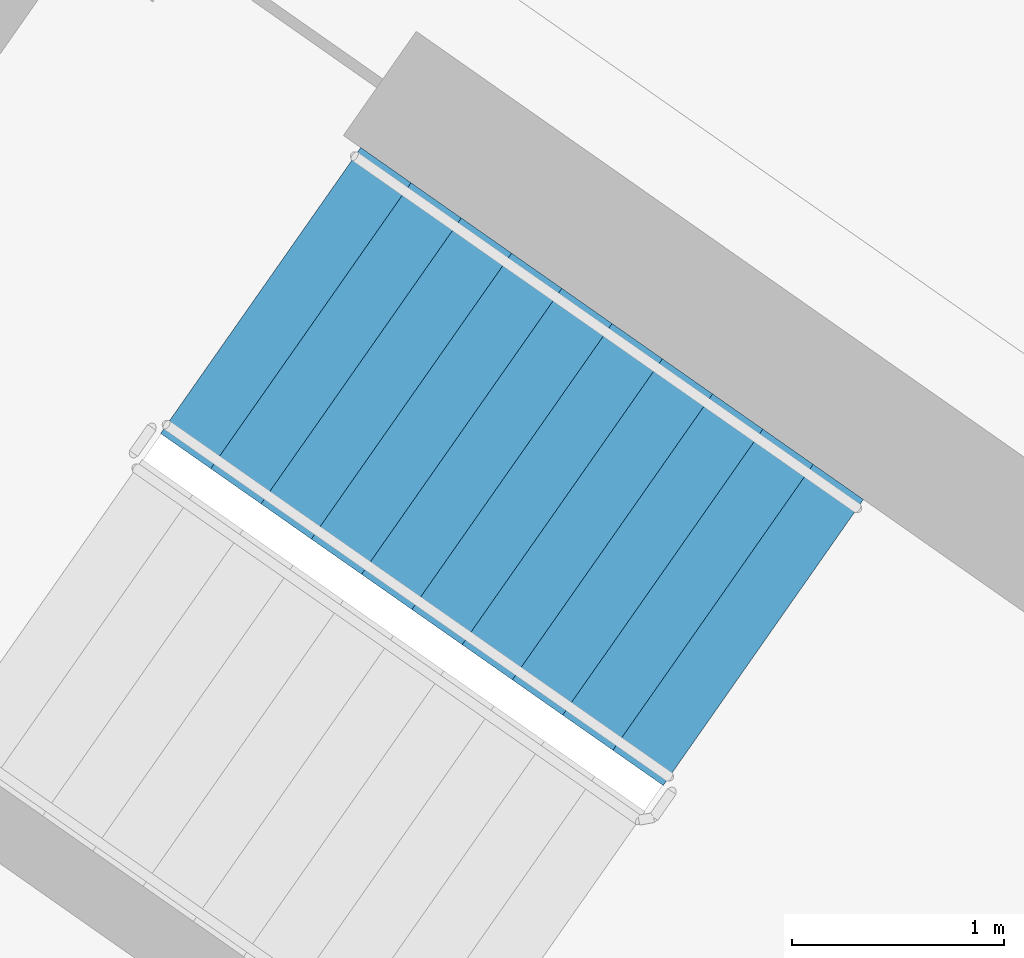
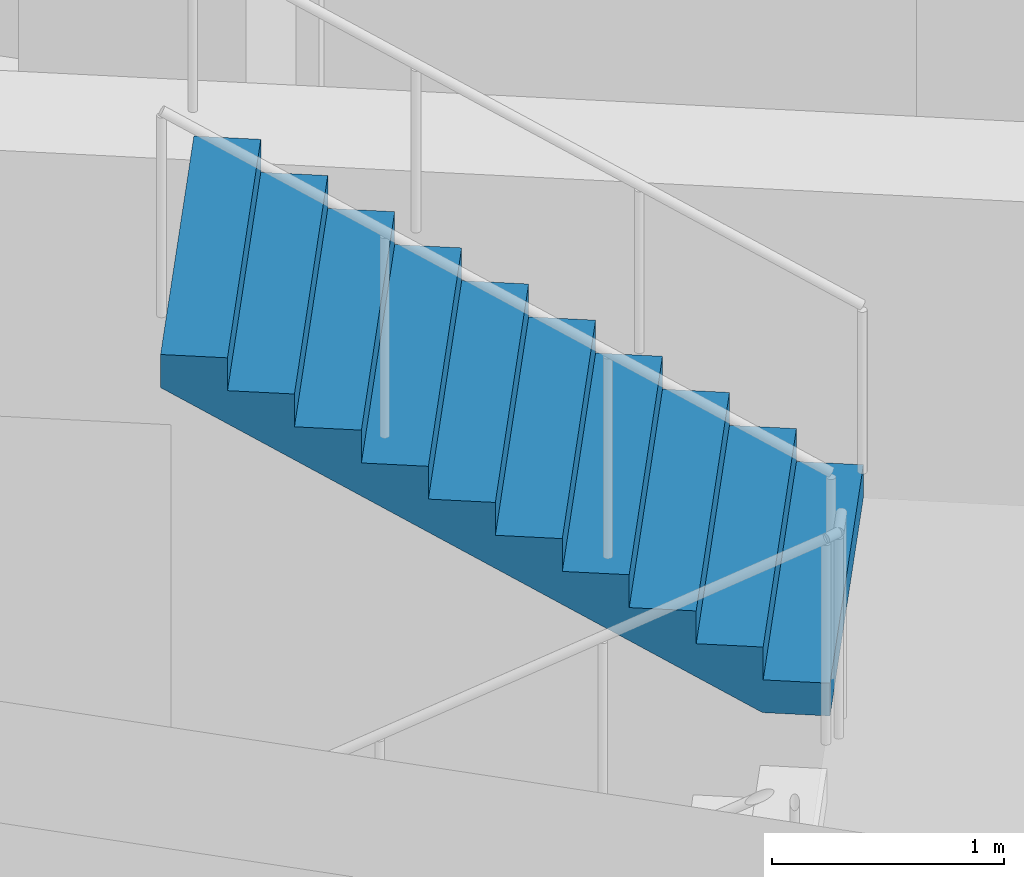
# One storey, part 12 of 28: 1 stair flight, 1 element without a shape of its own.
"""IFC4 building model written with IfcOpenShell, lengths in metres."""

from ifc_helpers import new_model, si_unit, direction, frame, origin, place, context, subcontext, project, spatial, faceted_brep, material, type_object, element, aggregate, save


model = new_model("IFC4")

# Units and contexts
model_context = context("Model", 3, precision=1e-05, world=origin(), true_north=direction((0.0, 1.0)))
body_context = subcontext(model_context, "Body", "Model", "MODEL_VIEW")
ifc_project = project(units=[si_unit("LENGTHUNIT", "METRE"), si_unit("AREAUNIT", "SQUARE_METRE"), si_unit("VOLUMEUNIT", "CUBIC_METRE"), si_unit("PLANEANGLEUNIT", "RADIAN"), si_unit("MASSUNIT", "GRAM", prefix="KILO")], contexts=[model_context])

# Site, building, storey
site_placement = place(None, origin())
site = spatial("IfcSite", under=ifc_project, at=site_placement, CompositionType="ELEMENT")
building_placement = place(site_placement, origin())
building = spatial("IfcBuilding", under=site, at=building_placement, Name="Qamariyya Broadcast Tower", CompositionType="ELEMENT")
storey_placement = place(building_placement, frame((0.0, 0.0, 245.5)))
storey = spatial("IfcBuildingStorey", under=building, at=storey_placement, Name="L59", CompositionType="ELEMENT", Elevation=245.5)

# Stair, stair flight
ifc_material = material(Name="Concrete C50/60", Category="concrete")
stair_type = type_object("IfcStairType", Name="Exit stair 22 risers of 173 mm", PredefinedType="HALF_TURN_STAIR", material=ifc_material)
stair_placement = place(storey_placement, origin())
stair = element("IfcStair", 1, at=stair_placement, inside=storey, type_object=stair_type, Name="L59 Stair W2", PredefinedType="HALF_TURN_STAIR")
stair_flight_type = type_object("IfcStairFlightType", Name="Exit stair flight 11 risers of 173 mm", PredefinedType="STRAIGHT", material=ifc_material)
stair_flight_placement = place(storey_placement, frame((-38.18310546875, -49.3486328125, 1.89990234375), z_axis=(0.0, 0.0, 1.0), x_axis=(-0.819152044289, 0.573576436351, 0.0)))
stair_flight = element("IfcStairFlight", 2, at=stair_flight_placement, type_object=stair_flight_type, Name="ST-W2 flight 2", NumberOfRisers=11, NumberOfTreads=10, PredefinedType="STRAIGHT", RiserHeight=0.172727273, TreadLength=0.29, context=body_context, shape_type="Brep", body=[
    faceted_brep([(0.0, 0.824951171875, 0.0), (0.0, 0.824951171875, 0.172607421875), (0.2900390625, 0.824951171875, 0.172607421875), (0.2900390625, 0.824951171875, 0.345458984375), (0.580078125, 0.824951171875, 0.345458984375), (0.580078125, 0.824951171875, 0.51806640625), (0.8701171875, 0.824951171875, 0.51806640625), (0.8701171875, 0.824951171875, 0.69091796875), (1.159912109375, 0.824951171875, 0.69091796875), (1.159912109375, 0.824951171875, 0.863525390625), (1.449951171875, 0.824951171875, 0.863525390625), (1.449951171875, 0.824951171875, 1.036376953125), (1.739990234375, 0.824951171875, 1.036376953125), (1.739990234375, 0.824951171875, 1.208984375), (2.030029296875, 0.824951171875, 1.208984375), (2.030029296875, 0.824951171875, 1.3818359375), (2.320068359375, 0.824951171875, 1.3818359375), (2.320068359375, 0.824951171875, 1.554443359375), (2.610107421875, 0.824951171875, 1.554443359375), (2.610107421875, 0.824951171875, 1.727294921875), (2.89990234375, 0.824951171875, 1.727294921875), (2.89990234375, 0.824951171875, 1.552734375), (0.29296875, 0.824951171875, 0.0), (0.29296875, -0.824951171875, 0.0), (2.89990234375, -0.824951171875, 1.552734375), (2.89990234375, -0.824951171875, 1.727294921875), (2.610107421875, -0.824951171875, 1.727294921875), (2.610107421875, -0.824951171875, 1.554443359375), (2.320068359375, -0.824951171875, 1.554443359375), (2.320068359375, -0.824951171875, 1.3818359375), (2.030029296875, -0.824951171875, 1.3818359375), (2.030029296875, -0.824951171875, 1.208984375), (1.739990234375, -0.824951171875, 1.208984375), (1.739990234375, -0.824951171875, 1.036376953125), (1.449951171875, -0.824951171875, 1.036376953125), (1.449951171875, -0.824951171875, 0.863525390625), (1.159912109375, -0.824951171875, 0.863525390625), (1.159912109375, -0.824951171875, 0.69091796875), (0.8701171875, -0.824951171875, 0.69091796875), (0.8701171875, -0.824951171875, 0.51806640625), (0.580078125, -0.824951171875, 0.51806640625), (0.580078125, -0.824951171875, 0.345458984375), (0.2900390625, -0.824951171875, 0.345458984375), (0.2900390625, -0.824951171875, 0.172607421875), (0.0, -0.824951171875, 0.172607421875), (0.0, -0.824951171875, 0.0), (0.0, 0.10009765625, 0.0), (0.0, 0.086669921875, 0.0), (0.0, 0.0732421875, 0.0), (0.0, 0.06005859375, 0.0), (0.0, 0.046630859375, 0.0), (0.0, 0.033447265625, 0.0), (0.0, 0.02001953125, 0.0), (0.0, 0.006591796875, 0.0), (0.0, -0.006591796875, 0.0), (0.0, -0.02001953125, 0.0), (0.0, -0.033447265625, 0.0), (0.0, -0.046630859375, 0.0), (0.0, -0.06005859375, 0.0), (0.0, -0.0732421875, 0.0), (0.0, -0.086669921875, 0.0), (0.0, -0.10009765625, 0.0), (0.0, -0.10009765625, 0.172607421875), (0.0, -0.086669921875, 0.172607421875), (0.0, -0.0732421875, 0.172607421875), (0.0, -0.06005859375, 0.172607421875), (0.0, -0.046630859375, 0.172607421875), (0.0, -0.033447265625, 0.172607421875), (0.0, -0.02001953125, 0.172607421875), (0.0, -0.006591796875, 0.172607421875), (0.0, 0.006591796875, 0.172607421875), (0.0, 0.02001953125, 0.172607421875), (0.0, 0.033447265625, 0.172607421875), (0.0, 0.046630859375, 0.172607421875), (0.0, 0.06005859375, 0.172607421875), (0.0, 0.0732421875, 0.172607421875), (0.0, 0.086669921875, 0.172607421875), (0.0, 0.10009765625, 0.172607421875), (0.2900390625, -0.10009765625, 0.172607421875), (0.2900390625, -0.086669921875, 0.172607421875), (0.2900390625, -0.0732421875, 0.172607421875), (0.2900390625, -0.06005859375, 0.172607421875), (0.2900390625, -0.046630859375, 0.172607421875), (0.2900390625, -0.033447265625, 0.172607421875), (0.2900390625, -0.02001953125, 0.172607421875), (0.2900390625, -0.006591796875, 0.172607421875), (0.2900390625, 0.006591796875, 0.172607421875), (0.2900390625, 0.02001953125, 0.172607421875), (0.2900390625, 0.033447265625, 0.172607421875), (0.2900390625, 0.046630859375, 0.172607421875), (0.2900390625, 0.06005859375, 0.172607421875), (0.2900390625, 0.0732421875, 0.172607421875), (0.2900390625, 0.086669921875, 0.172607421875), (0.2900390625, 0.10009765625, 0.172607421875), (0.2900390625, -0.10009765625, 0.345458984375), (0.2900390625, -0.086669921875, 0.345458984375), (0.2900390625, -0.0732421875, 0.345458984375), (0.2900390625, -0.06005859375, 0.345458984375), (0.2900390625, -0.046630859375, 0.345458984375), (0.2900390625, -0.033447265625, 0.345458984375), (0.2900390625, -0.02001953125, 0.345458984375), (0.2900390625, -0.006591796875, 0.345458984375), (0.2900390625, 0.006591796875, 0.345458984375), (0.2900390625, 0.02001953125, 0.345458984375), (0.2900390625, 0.033447265625, 0.345458984375), (0.2900390625, 0.046630859375, 0.345458984375), (0.2900390625, 0.06005859375, 0.345458984375), (0.2900390625, 0.0732421875, 0.345458984375), (0.2900390625, 0.086669921875, 0.345458984375), (0.2900390625, 0.10009765625, 0.345458984375), (0.580078125, -0.10009765625, 0.345458984375), (0.580078125, -0.086669921875, 0.345458984375), (0.580078125, -0.0732421875, 0.345458984375), (0.580078125, -0.06005859375, 0.345458984375), (0.580078125, -0.046630859375, 0.345458984375), (0.580078125, -0.033447265625, 0.345458984375), (0.580078125, -0.02001953125, 0.345458984375), (0.580078125, -0.006591796875, 0.345458984375), (0.580078125, 0.006591796875, 0.345458984375), (0.580078125, 0.02001953125, 0.345458984375), (0.580078125, 0.033447265625, 0.345458984375), (0.580078125, 0.046630859375, 0.345458984375), (0.580078125, 0.06005859375, 0.345458984375), (0.580078125, 0.0732421875, 0.345458984375), (0.580078125, 0.086669921875, 0.345458984375), (0.580078125, 0.10009765625, 0.345458984375), (0.580078125, -0.10009765625, 0.51806640625), (0.580078125, -0.086669921875, 0.51806640625), (0.580078125, -0.0732421875, 0.51806640625), (0.580078125, -0.06005859375, 0.51806640625), (0.580078125, -0.046630859375, 0.51806640625), (0.580078125, -0.033447265625, 0.51806640625), (0.580078125, -0.02001953125, 0.51806640625), (0.580078125, -0.006591796875, 0.51806640625), (0.580078125, 0.006591796875, 0.51806640625), (0.580078125, 0.02001953125, 0.51806640625), (0.580078125, 0.033447265625, 0.51806640625), (0.580078125, 0.046630859375, 0.51806640625), (0.580078125, 0.06005859375, 0.51806640625), (0.580078125, 0.0732421875, 0.51806640625), (0.580078125, 0.086669921875, 0.51806640625), (0.580078125, 0.10009765625, 0.51806640625), (0.8701171875, -0.10009765625, 0.51806640625), (0.8701171875, -0.086669921875, 0.51806640625), (0.8701171875, -0.0732421875, 0.51806640625), (0.8701171875, -0.06005859375, 0.51806640625), (0.8701171875, -0.046630859375, 0.51806640625), (0.8701171875, -0.033447265625, 0.51806640625), (0.8701171875, -0.02001953125, 0.51806640625), (0.8701171875, -0.006591796875, 0.51806640625), (0.8701171875, 0.006591796875, 0.51806640625), (0.8701171875, 0.02001953125, 0.51806640625), (0.8701171875, 0.033447265625, 0.51806640625), (0.8701171875, 0.046630859375, 0.51806640625), (0.8701171875, 0.06005859375, 0.51806640625), (0.8701171875, 0.0732421875, 0.51806640625), (0.8701171875, 0.086669921875, 0.51806640625), (0.8701171875, 0.10009765625, 0.51806640625), (0.8701171875, -0.10009765625, 0.69091796875), (0.8701171875, -0.086669921875, 0.69091796875), (0.8701171875, -0.0732421875, 0.69091796875), (0.8701171875, -0.06005859375, 0.69091796875), (0.8701171875, -0.046630859375, 0.69091796875), (0.8701171875, -0.033447265625, 0.69091796875), (0.8701171875, -0.02001953125, 0.69091796875), (0.8701171875, -0.006591796875, 0.69091796875), (0.8701171875, 0.006591796875, 0.69091796875), (0.8701171875, 0.02001953125, 0.69091796875), (0.8701171875, 0.033447265625, 0.69091796875), (0.8701171875, 0.046630859375, 0.69091796875), (0.8701171875, 0.06005859375, 0.69091796875), (0.8701171875, 0.0732421875, 0.69091796875), (0.8701171875, 0.086669921875, 0.69091796875), (0.8701171875, 0.10009765625, 0.69091796875), (1.159912109375, -0.10009765625, 0.69091796875), (1.159912109375, -0.086669921875, 0.69091796875), (1.159912109375, -0.0732421875, 0.69091796875), (1.159912109375, -0.06005859375, 0.69091796875), (1.159912109375, -0.046630859375, 0.69091796875), (1.159912109375, -0.033447265625, 0.69091796875), (1.159912109375, -0.02001953125, 0.69091796875), (1.159912109375, -0.006591796875, 0.69091796875), (1.159912109375, 0.006591796875, 0.69091796875), (1.159912109375, 0.02001953125, 0.69091796875), (1.159912109375, 0.033447265625, 0.69091796875), (1.159912109375, 0.046630859375, 0.69091796875), (1.159912109375, 0.06005859375, 0.69091796875), (1.159912109375, 0.0732421875, 0.69091796875), (1.159912109375, 0.086669921875, 0.69091796875), (1.159912109375, 0.10009765625, 0.69091796875), (1.159912109375, -0.10009765625, 0.863525390625), (1.159912109375, -0.086669921875, 0.863525390625), (1.159912109375, -0.0732421875, 0.863525390625), (1.159912109375, -0.06005859375, 0.863525390625), (1.159912109375, -0.046630859375, 0.863525390625), (1.159912109375, -0.033447265625, 0.863525390625), (1.159912109375, -0.02001953125, 0.863525390625), (1.159912109375, -0.006591796875, 0.863525390625), (1.159912109375, 0.006591796875, 0.863525390625), (1.159912109375, 0.02001953125, 0.863525390625), (1.159912109375, 0.033447265625, 0.863525390625), (1.159912109375, 0.046630859375, 0.863525390625), (1.159912109375, 0.06005859375, 0.863525390625), (1.159912109375, 0.0732421875, 0.863525390625), (1.159912109375, 0.086669921875, 0.863525390625), (1.159912109375, 0.10009765625, 0.863525390625), (1.449951171875, -0.10009765625, 0.863525390625), (1.449951171875, -0.086669921875, 0.863525390625), (1.449951171875, -0.0732421875, 0.863525390625), (1.449951171875, -0.06005859375, 0.863525390625), (1.449951171875, -0.046630859375, 0.863525390625), (1.449951171875, -0.033447265625, 0.863525390625), (1.449951171875, -0.02001953125, 0.863525390625), (1.449951171875, -0.006591796875, 0.863525390625), (1.449951171875, 0.006591796875, 0.863525390625), (1.449951171875, 0.02001953125, 0.863525390625), (1.449951171875, 0.033447265625, 0.863525390625), (1.449951171875, 0.046630859375, 0.863525390625), (1.449951171875, 0.06005859375, 0.863525390625), (1.449951171875, 0.0732421875, 0.863525390625), (1.449951171875, 0.086669921875, 0.863525390625), (1.449951171875, 0.10009765625, 0.863525390625), (1.449951171875, -0.10009765625, 1.036376953125), (1.449951171875, -0.086669921875, 1.036376953125), (1.449951171875, -0.0732421875, 1.036376953125), (1.449951171875, -0.06005859375, 1.036376953125), (1.449951171875, -0.046630859375, 1.036376953125), (1.449951171875, -0.033447265625, 1.036376953125), (1.449951171875, -0.02001953125, 1.036376953125), (1.449951171875, -0.006591796875, 1.036376953125), (1.449951171875, 0.006591796875, 1.036376953125), (1.449951171875, 0.02001953125, 1.036376953125), (1.449951171875, 0.033447265625, 1.036376953125), (1.449951171875, 0.046630859375, 1.036376953125), (1.449951171875, 0.06005859375, 1.036376953125), (1.449951171875, 0.0732421875, 1.036376953125), (1.449951171875, 0.086669921875, 1.036376953125), (1.449951171875, 0.10009765625, 1.036376953125), (1.739990234375, -0.10009765625, 1.036376953125), (1.739990234375, -0.086669921875, 1.036376953125), (1.739990234375, -0.0732421875, 1.036376953125), (1.739990234375, -0.06005859375, 1.036376953125), (1.739990234375, -0.046630859375, 1.036376953125), (1.739990234375, -0.033447265625, 1.036376953125), (1.739990234375, -0.02001953125, 1.036376953125), (1.739990234375, -0.006591796875, 1.036376953125), (1.739990234375, 0.006591796875, 1.036376953125), (1.739990234375, 0.02001953125, 1.036376953125), (1.739990234375, 0.033447265625, 1.036376953125), (1.739990234375, 0.046630859375, 1.036376953125), (1.739990234375, 0.06005859375, 1.036376953125), (1.739990234375, 0.0732421875, 1.036376953125), (1.739990234375, 0.086669921875, 1.036376953125), (1.739990234375, 0.10009765625, 1.036376953125), (1.739990234375, -0.10009765625, 1.208984375), (1.739990234375, -0.086669921875, 1.208984375), (1.739990234375, -0.0732421875, 1.208984375), (1.739990234375, -0.06005859375, 1.208984375), (1.739990234375, -0.046630859375, 1.208984375), (1.739990234375, -0.033447265625, 1.208984375), (1.739990234375, -0.02001953125, 1.208984375), (1.739990234375, -0.006591796875, 1.208984375), (1.739990234375, 0.006591796875, 1.208984375), (1.739990234375, 0.02001953125, 1.208984375), (1.739990234375, 0.033447265625, 1.208984375), (1.739990234375, 0.046630859375, 1.208984375), (1.739990234375, 0.06005859375, 1.208984375), (1.739990234375, 0.0732421875, 1.208984375), (1.739990234375, 0.086669921875, 1.208984375), (1.739990234375, 0.10009765625, 1.208984375), (2.030029296875, -0.10009765625, 1.208984375), (2.030029296875, -0.086669921875, 1.208984375), (2.030029296875, -0.0732421875, 1.208984375), (2.030029296875, -0.06005859375, 1.208984375), (2.030029296875, -0.046630859375, 1.208984375), (2.030029296875, -0.033447265625, 1.208984375), (2.030029296875, -0.02001953125, 1.208984375), (2.030029296875, -0.006591796875, 1.208984375), (2.030029296875, 0.006591796875, 1.208984375), (2.030029296875, 0.02001953125, 1.208984375), (2.030029296875, 0.033447265625, 1.208984375), (2.030029296875, 0.046630859375, 1.208984375), (2.030029296875, 0.06005859375, 1.208984375), (2.030029296875, 0.0732421875, 1.208984375), (2.030029296875, 0.086669921875, 1.208984375), (2.030029296875, 0.10009765625, 1.208984375), (2.030029296875, -0.10009765625, 1.3818359375), (2.030029296875, -0.086669921875, 1.3818359375), (2.030029296875, -0.0732421875, 1.3818359375), (2.030029296875, -0.06005859375, 1.3818359375), (2.030029296875, -0.046630859375, 1.3818359375), (2.030029296875, -0.033447265625, 1.3818359375), (2.030029296875, -0.02001953125, 1.3818359375), (2.030029296875, -0.006591796875, 1.3818359375), (2.030029296875, 0.006591796875, 1.3818359375), (2.030029296875, 0.02001953125, 1.3818359375), (2.030029296875, 0.033447265625, 1.3818359375), (2.030029296875, 0.046630859375, 1.3818359375), (2.030029296875, 0.06005859375, 1.3818359375), (2.030029296875, 0.0732421875, 1.3818359375), (2.030029296875, 0.086669921875, 1.3818359375), (2.030029296875, 0.10009765625, 1.3818359375), (2.320068359375, -0.10009765625, 1.3818359375), (2.320068359375, -0.086669921875, 1.3818359375), (2.320068359375, -0.0732421875, 1.3818359375), (2.320068359375, -0.06005859375, 1.3818359375), (2.320068359375, -0.046630859375, 1.3818359375), (2.320068359375, -0.033447265625, 1.3818359375), (2.320068359375, -0.02001953125, 1.3818359375), (2.320068359375, -0.006591796875, 1.3818359375), (2.320068359375, 0.006591796875, 1.3818359375), (2.320068359375, 0.02001953125, 1.3818359375), (2.320068359375, 0.033447265625, 1.3818359375), (2.320068359375, 0.046630859375, 1.3818359375), (2.320068359375, 0.06005859375, 1.3818359375), (2.320068359375, 0.0732421875, 1.3818359375), (2.320068359375, 0.086669921875, 1.3818359375), (2.320068359375, 0.10009765625, 1.3818359375), (2.320068359375, -0.10009765625, 1.554443359375), (2.320068359375, -0.086669921875, 1.554443359375), (2.320068359375, -0.0732421875, 1.554443359375), (2.320068359375, -0.06005859375, 1.554443359375), (2.320068359375, -0.046630859375, 1.554443359375), (2.320068359375, -0.033447265625, 1.554443359375), (2.320068359375, -0.02001953125, 1.554443359375), (2.320068359375, -0.006591796875, 1.554443359375), (2.320068359375, 0.006591796875, 1.554443359375), (2.320068359375, 0.02001953125, 1.554443359375), (2.320068359375, 0.033447265625, 1.554443359375), (2.320068359375, 0.046630859375, 1.554443359375), (2.320068359375, 0.06005859375, 1.554443359375), (2.320068359375, 0.0732421875, 1.554443359375), (2.320068359375, 0.086669921875, 1.554443359375), (2.320068359375, 0.10009765625, 1.554443359375), (2.610107421875, -0.10009765625, 1.554443359375), (2.610107421875, -0.086669921875, 1.554443359375), (2.610107421875, -0.0732421875, 1.554443359375), (2.610107421875, -0.06005859375, 1.554443359375), (2.610107421875, -0.046630859375, 1.554443359375), (2.610107421875, -0.033447265625, 1.554443359375), (2.610107421875, -0.02001953125, 1.554443359375), (2.610107421875, -0.006591796875, 1.554443359375), (2.610107421875, 0.006591796875, 1.554443359375), (2.610107421875, 0.02001953125, 1.554443359375), (2.610107421875, 0.033447265625, 1.554443359375), (2.610107421875, 0.046630859375, 1.554443359375), (2.610107421875, 0.06005859375, 1.554443359375), (2.610107421875, 0.0732421875, 1.554443359375), (2.610107421875, 0.086669921875, 1.554443359375), (2.610107421875, 0.10009765625, 1.554443359375), (2.610107421875, -0.10009765625, 1.727294921875), (2.610107421875, -0.086669921875, 1.727294921875), (2.610107421875, -0.0732421875, 1.727294921875), (2.610107421875, -0.06005859375, 1.727294921875), (2.610107421875, -0.046630859375, 1.727294921875), (2.610107421875, -0.033447265625, 1.727294921875), (2.610107421875, -0.02001953125, 1.727294921875), (2.610107421875, -0.006591796875, 1.727294921875), (2.610107421875, 0.006591796875, 1.727294921875), (2.610107421875, 0.02001953125, 1.727294921875), (2.610107421875, 0.033447265625, 1.727294921875), (2.610107421875, 0.046630859375, 1.727294921875), (2.610107421875, 0.06005859375, 1.727294921875), (2.610107421875, 0.0732421875, 1.727294921875), (2.610107421875, 0.086669921875, 1.727294921875), (2.610107421875, 0.10009765625, 1.727294921875), (2.89990234375, -0.10009765625, 1.727294921875), (2.89990234375, -0.086669921875, 1.727294921875), (2.89990234375, -0.0732421875, 1.727294921875), (2.89990234375, -0.06005859375, 1.727294921875), (2.89990234375, -0.046630859375, 1.727294921875), (2.89990234375, -0.033447265625, 1.727294921875), (2.89990234375, -0.02001953125, 1.727294921875), (2.89990234375, -0.006591796875, 1.727294921875), (2.89990234375, 0.006591796875, 1.727294921875), (2.89990234375, 0.02001953125, 1.727294921875), (2.89990234375, 0.033447265625, 1.727294921875), (2.89990234375, 0.046630859375, 1.727294921875), (2.89990234375, 0.06005859375, 1.727294921875), (2.89990234375, 0.0732421875, 1.727294921875), (2.89990234375, 0.086669921875, 1.727294921875), (2.89990234375, 0.10009765625, 1.727294921875), (2.89990234375, -0.10009765625, 1.552734375), (2.89990234375, -0.086669921875, 1.552734375), (2.89990234375, -0.0732421875, 1.552734375), (2.89990234375, -0.06005859375, 1.552734375), (2.89990234375, -0.046630859375, 1.552734375), (2.89990234375, -0.033447265625, 1.552734375), (2.89990234375, -0.02001953125, 1.552734375), (2.89990234375, -0.006591796875, 1.552734375), (2.89990234375, 0.006591796875, 1.552734375), (2.89990234375, 0.02001953125, 1.552734375), (2.89990234375, 0.033447265625, 1.552734375), (2.89990234375, 0.046630859375, 1.552734375), (2.89990234375, 0.06005859375, 1.552734375), (2.89990234375, 0.0732421875, 1.552734375), (2.89990234375, 0.086669921875, 1.552734375), (2.89990234375, 0.10009765625, 1.552734375), (0.29296875, -0.10009765625, 0.0), (0.29296875, -0.086669921875, 0.0), (0.29296875, -0.0732421875, 0.0), (0.29296875, -0.06005859375, 0.0), (0.29296875, -0.046630859375, 0.0), (0.29296875, -0.033447265625, 0.0), (0.29296875, -0.02001953125, 0.0), (0.29296875, -0.006591796875, 0.0), (0.29296875, 0.006591796875, 0.0), (0.29296875, 0.02001953125, 0.0), (0.29296875, 0.033447265625, 0.0), (0.29296875, 0.046630859375, 0.0), (0.29296875, 0.06005859375, 0.0), (0.29296875, 0.0732421875, 0.0), (0.29296875, 0.086669921875, 0.0), (0.29296875, 0.10009765625, 0.0)], [[[0, 1, 2, 3, 4, 5, 6, 7, 8, 9, 10, 11, 12, 13, 14, 15, 16, 17, 18, 19, 20, 21, 22]], [[23, 24, 25, 26, 27, 28, 29, 30, 31, 32, 33, 34, 35, 36, 37, 38, 39, 40, 41, 42, 43, 44, 45]], [[0, 46, 47, 48, 49, 50, 51, 52, 53, 54, 55, 56, 57, 58, 59, 60, 61, 45, 44, 62, 63, 64, 65, 66, 67, 68, 69, 70, 71, 72, 73, 74, 75, 76, 77, 1]], [[1, 77, 76, 75, 74, 73, 72, 71, 70, 69, 68, 67, 66, 65, 64, 63, 62, 44, 43, 78, 79, 80, 81, 82, 83, 84, 85, 86, 87, 88, 89, 90, 91, 92, 93, 2]], [[2, 93, 92, 91, 90, 89, 88, 87, 86, 85, 84, 83, 82, 81, 80, 79, 78, 43, 42, 94, 95, 96, 97, 98, 99, 100, 101, 102, 103, 104, 105, 106, 107, 108, 109, 3]], [[3, 109, 108, 107, 106, 105, 104, 103, 102, 101, 100, 99, 98, 97, 96, 95, 94, 42, 41, 110, 111, 112, 113, 114, 115, 116, 117, 118, 119, 120, 121, 122, 123, 124, 125, 4]], [[4, 125, 124, 123, 122, 121, 120, 119, 118, 117, 116, 115, 114, 113, 112, 111, 110, 41, 40, 126, 127, 128, 129, 130, 131, 132, 133, 134, 135, 136, 137, 138, 139, 140, 141, 5]], [[5, 141, 140, 139, 138, 137, 136, 135, 134, 133, 132, 131, 130, 129, 128, 127, 126, 40, 39, 142, 143, 144, 145, 146, 147, 148, 149, 150, 151, 152, 153, 154, 155, 156, 157, 6]], [[6, 157, 156, 155, 154, 153, 152, 151, 150, 149, 148, 147, 146, 145, 144, 143, 142, 39, 38, 158, 159, 160, 161, 162, 163, 164, 165, 166, 167, 168, 169, 170, 171, 172, 173, 7]], [[7, 173, 172, 171, 170, 169, 168, 167, 166, 165, 164, 163, 162, 161, 160, 159, 158, 38, 37, 174, 175, 176, 177, 178, 179, 180, 181, 182, 183, 184, 185, 186, 187, 188, 189, 8]], [[8, 189, 188, 187, 186, 185, 184, 183, 182, 181, 180, 179, 178, 177, 176, 175, 174, 37, 36, 190, 191, 192, 193, 194, 195, 196, 197, 198, 199, 200, 201, 202, 203, 204, 205, 9]], [[9, 205, 204, 203, 202, 201, 200, 199, 198, 197, 196, 195, 194, 193, 192, 191, 190, 36, 35, 206, 207, 208, 209, 210, 211, 212, 213, 214, 215, 216, 217, 218, 219, 220, 221, 10]], [[10, 221, 220, 219, 218, 217, 216, 215, 214, 213, 212, 211, 210, 209, 208, 207, 206, 35, 34, 222, 223, 224, 225, 226, 227, 228, 229, 230, 231, 232, 233, 234, 235, 236, 237, 11]], [[11, 237, 236, 235, 234, 233, 232, 231, 230, 229, 228, 227, 226, 225, 224, 223, 222, 34, 33, 238, 239, 240, 241, 242, 243, 244, 245, 246, 247, 248, 249, 250, 251, 252, 253, 12]], [[12, 253, 252, 251, 250, 249, 248, 247, 246, 245, 244, 243, 242, 241, 240, 239, 238, 33, 32, 254, 255, 256, 257, 258, 259, 260, 261, 262, 263, 264, 265, 266, 267, 268, 269, 13]], [[13, 269, 268, 267, 266, 265, 264, 263, 262, 261, 260, 259, 258, 257, 256, 255, 254, 32, 31, 270, 271, 272, 273, 274, 275, 276, 277, 278, 279, 280, 281, 282, 283, 284, 285, 14]], [[14, 285, 284, 283, 282, 281, 280, 279, 278, 277, 276, 275, 274, 273, 272, 271, 270, 31, 30, 286, 287, 288, 289, 290, 291, 292, 293, 294, 295, 296, 297, 298, 299, 300, 301, 15]], [[15, 301, 300, 299, 298, 297, 296, 295, 294, 293, 292, 291, 290, 289, 288, 287, 286, 30, 29, 302, 303, 304, 305, 306, 307, 308, 309, 310, 311, 312, 313, 314, 315, 316, 317, 16]], [[16, 317, 316, 315, 314, 313, 312, 311, 310, 309, 308, 307, 306, 305, 304, 303, 302, 29, 28, 318, 319, 320, 321, 322, 323, 324, 325, 326, 327, 328, 329, 330, 331, 332, 333, 17]], [[17, 333, 332, 331, 330, 329, 328, 327, 326, 325, 324, 323, 322, 321, 320, 319, 318, 28, 27, 334, 335, 336, 337, 338, 339, 340, 341, 342, 343, 344, 345, 346, 347, 348, 349, 18]], [[18, 349, 348, 347, 346, 345, 344, 343, 342, 341, 340, 339, 338, 337, 336, 335, 334, 27, 26, 350, 351, 352, 353, 354, 355, 356, 357, 358, 359, 360, 361, 362, 363, 364, 365, 19]], [[19, 365, 364, 363, 362, 361, 360, 359, 358, 357, 356, 355, 354, 353, 352, 351, 350, 26, 25, 366, 367, 368, 369, 370, 371, 372, 373, 374, 375, 376, 377, 378, 379, 380, 381, 20]], [[20, 381, 380, 379, 378, 377, 376, 375, 374, 373, 372, 371, 370, 369, 368, 367, 366, 25, 24, 382, 383, 384, 385, 386, 387, 388, 389, 390, 391, 392, 393, 394, 395, 396, 397, 21]], [[21, 397, 396, 395, 394, 393, 392, 391, 390, 389, 388, 387, 386, 385, 384, 383, 382, 24, 23, 398, 399, 400, 401, 402, 403, 404, 405, 406, 407, 408, 409, 410, 411, 412, 413, 22]], [[22, 413, 412, 411, 410, 409, 408, 407, 406, 405, 404, 403, 402, 401, 400, 399, 398, 23, 45, 61, 60, 59, 58, 57, 56, 55, 54, 53, 52, 51, 50, 49, 48, 47, 46, 0]]]),
])
aggregate(stair, [stair_flight])

save(model, "model.ifc")
